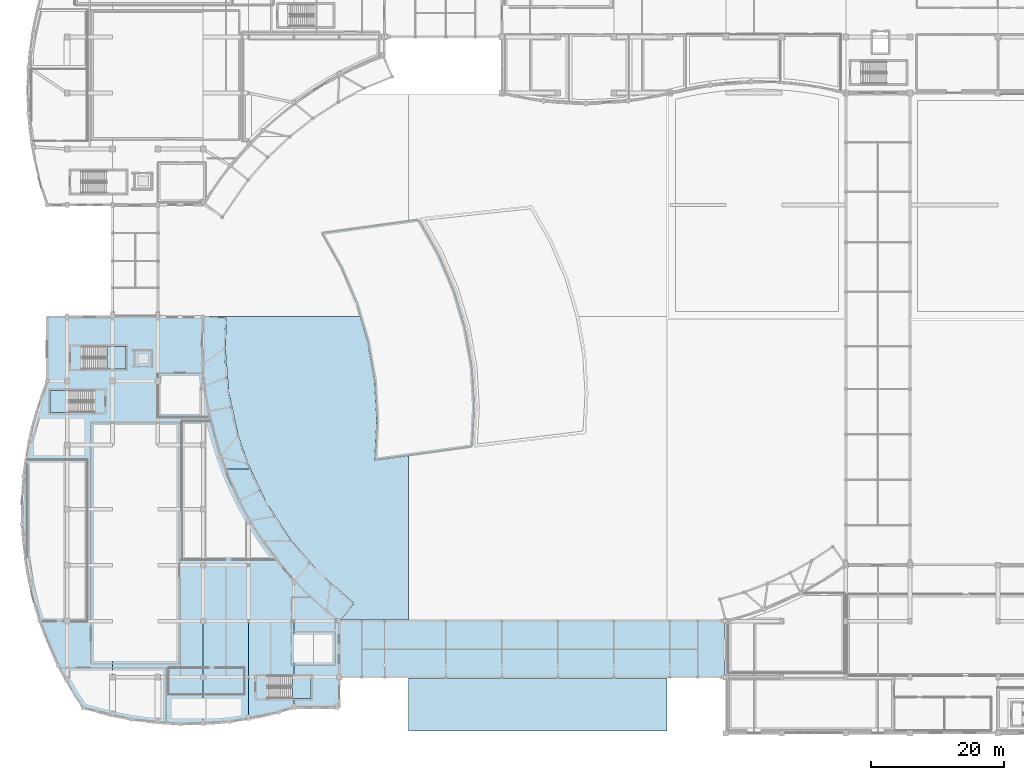
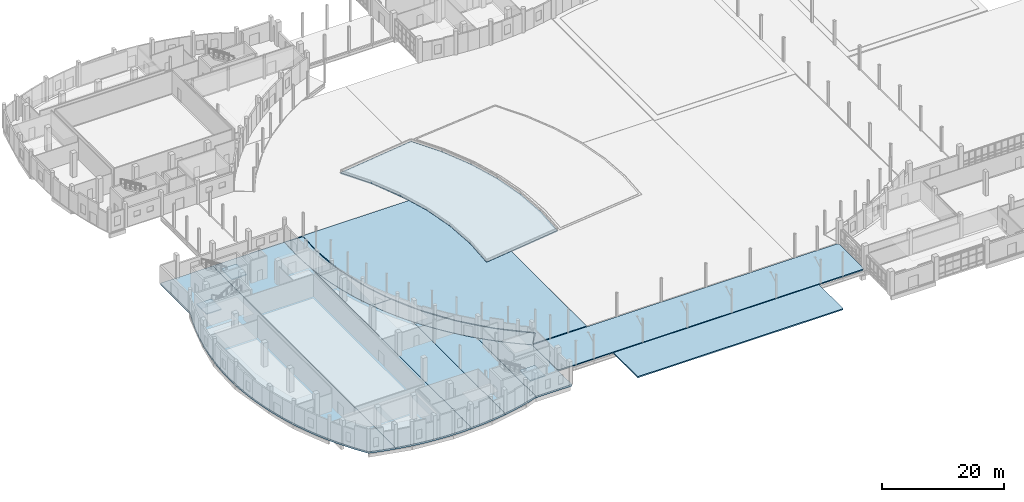
# One storey, part 48 of 97: 14 slabs, 3 elements without a shape of their own.
"""IFC4 building model written with IfcOpenShell, lengths in metres."""

from ifc_helpers import new_model, si_unit, direction, frame, origin, place, context, subcontext, project, spatial, polyline, outline, extrude, material, layer, layer_set, type_object, element, aggregate, save


model = new_model("IFC4")

# Units and contexts
model_context = context("Model", 3, precision=1e-05, world=origin(), true_north=direction((0.0, 1.0)))
body_context = subcontext(model_context, "Body", "Model", "MODEL_VIEW")
ifc_project = project(units=[si_unit("LENGTHUNIT", "METRE"), si_unit("AREAUNIT", "SQUARE_METRE"), si_unit("VOLUMEUNIT", "CUBIC_METRE"), si_unit("PLANEANGLEUNIT", "RADIAN"), si_unit("MASSUNIT", "GRAM", prefix="KILO")], contexts=[model_context])

# Site, building, storey
site_placement = place(None, origin())
site = spatial("IfcSite", under=ifc_project, at=site_placement, CompositionType="ELEMENT")
building_placement = place(site_placement, origin())
building = spatial("IfcBuilding", under=site, at=building_placement, Name="Kisaragi Civic Commons", CompositionType="ELEMENT")
storey_placement = place(building_placement, origin())
storey = spatial("IfcBuildingStorey", under=building, at=storey_placement, Name="L00", CompositionType="ELEMENT", Elevation=0.0)

# Slabs
ifc_material = material(Name="Concrete Fc30", Category="concrete")
ifc_layer_1 = layer(ifc_material, 0.215087890625, Name="Concrete Fc30", Category="concrete")
ifc_layer_set_1 = layer_set([ifc_layer_1], Name="Concrete Fc30")
slab_type_1 = type_object("IfcSlabType", Name="SL-BR", PredefinedType="FLOOR", material=ifc_layer_set_1)
slab_1_placement = place(storey_placement, frame((0.0, 0.0, -0.215087890625)))
element("IfcSlab", 1, at=slab_1_placement, inside=storey, type_object=slab_type_1, Name="BR-V1-V3 L00 bridge deck slab", PredefinedType="FLOOR", context=body_context, shape_type="SweptSolid", body=[
    extrude(outline(polyline([(47.8701171875, 8.39990234375), (105.179931640625, 8.39990234375), (105.429931640625, 8.64990234375), (105.429931640625, 16.550048828125), (105.179931640625, 16.800048828125), (47.8701171875, 16.800048828125), (47.6201171875, 16.550048828125), (47.6201171875, 8.64990234375), (47.8701171875, 8.39990234375)])), origin(), (0.0, 0.0, 1.0), 0.215087890625),
])
ifc_layer_2 = layer(ifc_material, 0.340087890625, Name="Concrete Fc30", Category="concrete")
ifc_layer_set_2 = layer_set([ifc_layer_2], Name="Concrete Fc30")
slab_type_2 = type_object("IfcSlabType", Name="SL-G1", PredefinedType="BASESLAB", material=ifc_layer_set_2)
slab_2_placement = place(storey_placement, frame((0.0, 0.0, -0.340087890625)))
element("IfcSlab", 2, at=slab_2_placement, inside=storey, type_object=slab_type_2, Name="V1 L00 slab SL-G1 1", PredefinedType="BASESLAB", context=body_context, shape_type="SweptSolid", body=[
    extrude(outline(polyline([(13.60009765625, 2.6142578125), (13.60009765625, 62.39990234375), (3.800048828125, 62.39990234375), (3.800048828125, 52.800048828125), (2.937255859375, 50.51171875), (2.18310546875, 48.185546875), (1.5390625, 45.826416015625), (1.006591796875, 43.439697265625), (0.587158203125, 41.030517578125), (0.28125, 38.604248046875), (0.08984375, 36.16650390625), (0.01318359375, 33.72216796875), (0.051513671875, 31.277099609375), (0.204833984375, 28.83642578125), (0.47265625, 26.40576171875), (0.8544921875, 23.990234375), (1.349609375, 21.595458984375), (1.95654296875, 19.2265625), (2.67431640625, 16.888916015625), (3.501220703125, 14.58740234375), (4.435302734375, 12.327392578125), (5.474609375, 10.11376953125), (6.616943359375, 7.95166015625), (7.859619140625, 5.845458984375), (9.199951171875, 3.800048828125), (11.570068359375, 3.105712890625), (13.60009765625, 2.6142578125)])), origin(), (0.0, 0.0, 1.0), 0.340087890625),
])
slab_3_placement = place(storey_placement, frame((0.0, 0.0, -0.340087890625)))
element("IfcSlab", 3, at=slab_3_placement, inside=storey, type_object=slab_type_2, Name="V1 L00 slab SL-G1 2", PredefinedType="BASESLAB", context=body_context, shape_type="SweptSolid", body=[
    extrude(outline(polyline([(27.199951171875, 1.402099609375), (27.199951171875, 54.219482421875), (27.114501953125, 55.30029296875), (27.03515625, 57.66748046875), (27.063720703125, 60.03564453125), (27.199951171875, 62.39990234375), (13.60009765625, 62.39990234375), (13.60009765625, 2.6142578125), (13.97021484375, 2.524658203125), (16.3955078125, 2.058349609375), (18.840087890625, 1.707763671875), (21.29833984375, 1.473388671875), (23.76513671875, 1.356201171875), (26.23486328125, 1.356201171875), (27.199951171875, 1.402099609375)])), origin(), (0.0, 0.0, 1.0), 0.340087890625),
])
slab_4_placement = place(storey_placement, frame((0.0, 0.0, -0.340087890625)))
element("IfcSlab", 4, at=slab_4_placement, inside=storey, type_object=slab_type_2, Name="V1 L00 slab SL-G1 3", PredefinedType="BASESLAB", context=body_context, shape_type="SweptSolid", body=[
    extrude(outline(polyline([(34.0, 2.134521484375), (34.0, 32.2431640625), (33.694091796875, 32.759765625), (32.581787109375, 34.8505859375), (31.565673828125, 36.989990234375), (30.64794921875, 39.173095703125), (29.83056640625, 41.39599609375), (29.115478515625, 43.65380859375), (28.503662109375, 45.94189453125), (27.996826171875, 48.25537109375), (27.595703125, 50.58935546875), (27.301513671875, 52.939453125), (27.199951171875, 54.219482421875), (27.199951171875, 1.402099609375), (28.70166015625, 1.473388671875), (31.159912109375, 1.707763671875), (33.6044921875, 2.058349609375), (34.0, 2.134521484375)])), origin(), (0.0, 0.0, 1.0), 0.340087890625),
])
slab_5_placement = place(storey_placement, frame((0.0, 0.0, -0.340087890625)))
element("IfcSlab", 5, at=slab_5_placement, inside=storey, type_object=slab_type_2, Name="V1 L00 slab SL-G1 4", PredefinedType="BASESLAB", context=body_context, shape_type="SweptSolid", body=[
    extrude(outline(polyline([(40.800048828125, 3.800048828125), (40.800048828125, 22.986572265625), (40.614501953125, 23.180908203125), (39.05859375, 24.966552734375), (37.585693359375, 26.821044921875), (36.19873046875, 28.740966796875), (34.900634765625, 30.7216796875), (34.0, 32.2431640625), (34.0, 2.134521484375), (36.02978515625, 2.524658203125), (38.429931640625, 3.105712890625), (40.800048828125, 3.800048828125)])), origin(), (0.0, 0.0, 1.0), 0.340087890625),
])
slab_6_placement = place(storey_placement, frame((0.0, 0.0, -0.340087890625)))
element("IfcSlab", 6, at=slab_6_placement, inside=storey, type_object=slab_type_2, Name="V1 L00 slab SL-G1 5", PredefinedType="BASESLAB", context=body_context, shape_type="SweptSolid", body=[
    extrude(outline(polyline([(47.60009765625, 3.800048828125), (47.60009765625, 16.800048828125), (45.746337890625, 18.274169921875), (43.9619140625, 19.831298828125), (42.25, 21.468017578125), (40.800048828125, 22.986572265625), (40.800048828125, 3.800048828125), (47.60009765625, 3.800048828125)])), origin(), (0.0, 0.0, 1.0), 0.340087890625),
])
ifc_layer_3 = layer(ifc_material, 0.2451171875, Name="Concrete Fc30", Category="concrete")
ifc_layer_set_3 = layer_set([ifc_layer_3], Name="Concrete Fc30")
slab_type_3 = type_object("IfcSlabType", Name="SL-G3", PredefinedType="BASESLAB", material=ifc_layer_set_3)
slab_7_placement = place(storey_placement, frame((0.0, 0.0, -0.2451171875)))
element("IfcSlab", 7, at=slab_7_placement, inside=storey, type_object=slab_type_3, Name="Civic reflecting pool basin structural slab", PredefinedType="BASESLAB", context=body_context, shape_type="SweptSolid", body=[
    extrude(outline(polyline([(45.0, 75.0), (47.930419921875, 69.840576171875), (50.25390625, 64.380615234375), (51.940185546875, 58.69189453125), (52.96728515625, 52.847900390625), (53.322265625, 46.9248046875), (53.0, 41.0), (67.5, 43.0), (67.822265625, 48.9248046875), (67.46728515625, 54.847900390625), (66.440185546875, 60.69189453125), (64.75390625, 66.380615234375), (62.430419921875, 71.840576171875), (59.5, 77.0), (45.0, 75.0)])), origin(), (0.0, 0.0, 1.0), 0.2451171875),
])
slab_8_placement = place(storey_placement, frame((0.0, 0.0, -0.2451171875)))
element("IfcSlab", 8, at=slab_8_placement, inside=storey, type_object=slab_type_3, Name="Civic courtyard and forecourt stone promenade slab 2", PredefinedType="BASESLAB", context=body_context, shape_type="SweptSolid", body=[
    extrude(outline(polyline([(47.861328125, 17.0), (58.0, 17.0), (58.0, 41.60888671875), (52.914794921875, 40.907470703125), (53.2421875, 46.924560546875), (52.8876953125, 52.83837890625), (51.862060546875, 58.67333984375), (50.727783203125, 62.5), (20.60009765625, 62.5), (21.514404296875, 62.47998046875), (27.12451171875, 62.47998046875), (27.124755859375, 62.484619140625), (27.202392578125, 62.47998046875), (27.28466796875, 62.47998046875), (27.284423828125, 62.475341796875), (30.678955078125, 62.279541015625), (30.514892578125, 57.70458984375), (31.0380859375, 51.1005859375), (32.4560546875, 44.62890625), (33.885986328125, 40.4482421875), (36.728515625, 34.464111328125), (40.359375, 28.922607421875), (44.711669921875, 23.927734375), (49.828857421875, 19.473876953125), (47.861328125, 17.0)])), origin(), (0.0, 0.0, 1.0), 0.2451171875),
])
slab_9_placement = place(storey_placement, frame((0.0, 0.0, -0.2451171875)))
element("IfcSlab", 9, at=slab_9_placement, inside=storey, type_object=slab_type_3, Name="Civic courtyard and forecourt stone promenade slab 4", PredefinedType="BASESLAB", context=body_context, shape_type="SweptSolid", body=[
    extrude(outline(polyline([(96.800048828125, 8.25), (58.02001953125, 8.25), (58.02001953125, 0.300048828125), (96.800048828125, 0.300048828125), (96.800048828125, 8.25)])), origin(), (0.0, 0.0, 1.0), 0.2451171875),
])
ifc_layer_4 = layer(ifc_material, 0.205078125, Name="Concrete Fc30", Category="concrete")
ifc_layer_set_4 = layer_set([ifc_layer_4], Name="Concrete Fc30")
slab_type_4 = type_object("IfcSlabType", Name="SL-VR", PredefinedType="FLOOR", material=ifc_layer_set_4)
slab_10_placement = place(storey_placement, frame((0.0, 0.0, -0.205078125)))
element("IfcSlab", 10, at=slab_10_placement, inside=storey, type_object=slab_type_4, Name="VER-V1 engawa veranda deck slab 1", PredefinedType="FLOOR", context=body_context, shape_type="SweptSolid", body=[
    extrude(outline(polyline([(34.15771484375, 39.595458984375), (30.5087890625, 39.595458984375), (30.661865234375, 39.1787109375), (31.579345703125, 36.99609375), (32.59521484375, 34.857421875), (33.707275390625, 32.76708984375), (34.913330078125, 30.729736328125), (36.211181640625, 28.74951171875), (37.59765625, 26.830078125), (39.0703125, 24.97607421875), (40.62548828125, 23.19091796875), (42.260498046875, 21.478515625), (43.971923828125, 19.84228515625), (45.756103515625, 18.28564453125), (47.609375, 16.811767578125), (47.609375, 16.811767578125), (49.71630859375, 19.4609375), (47.9228515625, 20.886474609375), (46.2548828125, 22.341552734375), (44.655029296875, 23.87109375), (43.12646484375, 25.47216796875), (41.67236328125, 27.14111328125), (40.295654296875, 28.87451171875), (38.99951171875, 30.668701171875), (37.7861328125, 32.52001953125), (36.65869140625, 34.4248046875), (35.618896484375, 36.37890625), (34.669189453125, 38.37841796875), (34.15771484375, 39.595458984375)])), origin(), (0.0, 0.0, 1.0), 0.205078125),
])
slab_11_placement = place(storey_placement, frame((0.0, 0.0, -0.205078125)))
element("IfcSlab", 11, at=slab_11_placement, inside=storey, type_object=slab_type_4, Name="VER-V1 engawa veranda deck slab 2", PredefinedType="FLOOR", context=body_context, shape_type="SweptSolid", body=[
    extrude(outline(polyline([(30.594482421875, 62.204345703125), (27.215087890625, 62.399169921875), (27.07861328125, 60.03515625), (27.050048828125, 57.66748046875), (27.12939453125, 55.30126953125), (27.31640625, 52.94091796875), (27.610595703125, 50.591552734375), (28.011474609375, 48.25830078125), (28.518310546875, 45.9453125), (29.1298828125, 43.657958984375), (29.8447265625, 41.40087890625), (30.501220703125, 39.615478515625), (34.149169921875, 39.615478515625), (33.8115234375, 40.4189453125), (33.047607421875, 42.496337890625), (32.379150390625, 44.6064453125), (31.8076171875, 46.744873046875), (31.333740234375, 48.9072265625), (30.958984375, 51.088623046875), (30.683837890625, 53.284912109375), (30.509033203125, 55.49169921875), (30.434814453125, 57.703857421875), (30.461669921875, 59.917236328125), (30.594482421875, 62.204345703125)])), origin(), (0.0, 0.0, 1.0), 0.205078125),
])

# Stair, slab
stair_type_1 = type_object("IfcStairType", Name="ST-B", PredefinedType="HALF_TURN_STAIR", material=ifc_material)
stair_1_placement = place(storey_placement, origin())
stair_1 = element("IfcStair", 12, at=stair_1_placement, inside=storey, type_object=stair_type_1, Name="L00 Stair ST-M1", PredefinedType="HALF_TURN_STAIR")
ifc_layer_5 = layer(ifc_material, 0.199951171875, Name="Concrete Fc30", Category="concrete")
ifc_layer_set_5 = layer_set([ifc_layer_5], Name="Concrete Fc30")
slab_type_5 = type_object("IfcSlabType", Name="STL-01", PredefinedType="LANDING", material=ifc_layer_set_5)
slab_12_placement = place(storey_placement, frame((0.0, 0.0, 2.199951171875)))
slab_12 = element("IfcSlab", 13, at=slab_12_placement, type_object=slab_type_5, Name="ST-M1 landing 1", PredefinedType="LANDING", context=body_context, shape_type="SweptSolid", body=[
    extrude(outline(polyline([(12.77001953125, 54.60009765625), (15.60009765625, 54.60009765625), (15.60009765625, 58.0), (12.77001953125, 58.0), (12.77001953125, 54.60009765625)])), origin(), (0.0, 0.0, 1.0), 0.199951171875),
])
aggregate(stair_1, [slab_12])

stair_2_placement = place(storey_placement, origin())
stair_2 = element("IfcStair", 14, at=stair_2_placement, inside=storey, type_object=stair_type_1, Name="L00 Stair ST-M2", PredefinedType="HALF_TURN_STAIR")
slab_13_placement = place(storey_placement, frame((0.0, 0.0, 2.199951171875)))
slab_13 = element("IfcSlab", 15, at=slab_13_placement, type_object=slab_type_5, Name="ST-M2 landing 1", PredefinedType="LANDING", context=body_context, shape_type="SweptSolid", body=[
    extrude(outline(polyline([(40.570068359375, 5.199951171875), (43.39990234375, 5.199951171875), (43.39990234375, 8.60009765625), (40.570068359375, 8.60009765625), (40.570068359375, 5.199951171875)])), origin(), (0.0, 0.0, 1.0), 0.199951171875),
])
aggregate(stair_2, [slab_13])

stair_type_2 = type_object("IfcStairType", Name="ST-A", PredefinedType="HALF_TURN_STAIR", material=ifc_material)
stair_3_placement = place(storey_placement, origin())
stair_3 = element("IfcStair", 16, at=stair_3_placement, inside=storey, type_object=stair_type_2, Name="L00 Stair ST-M3", PredefinedType="HALF_TURN_STAIR")
slab_14_placement = place(storey_placement, frame((0.0, 0.0, 2.199951171875)))
slab_14 = element("IfcSlab", 17, at=slab_14_placement, type_object=slab_type_5, Name="ST-M3 landing 1", PredefinedType="LANDING", context=body_context, shape_type="SweptSolid", body=[
    extrude(outline(polyline([(7.080078125, 51.39990234375), (4.199951171875, 51.39990234375), (4.199951171875, 48.10009765625), (7.080078125, 48.10009765625), (7.080078125, 51.39990234375)])), origin(), (0.0, 0.0, 1.0), 0.199951171875),
])
aggregate(stair_3, [slab_14])

save(model, "model.ifc")
